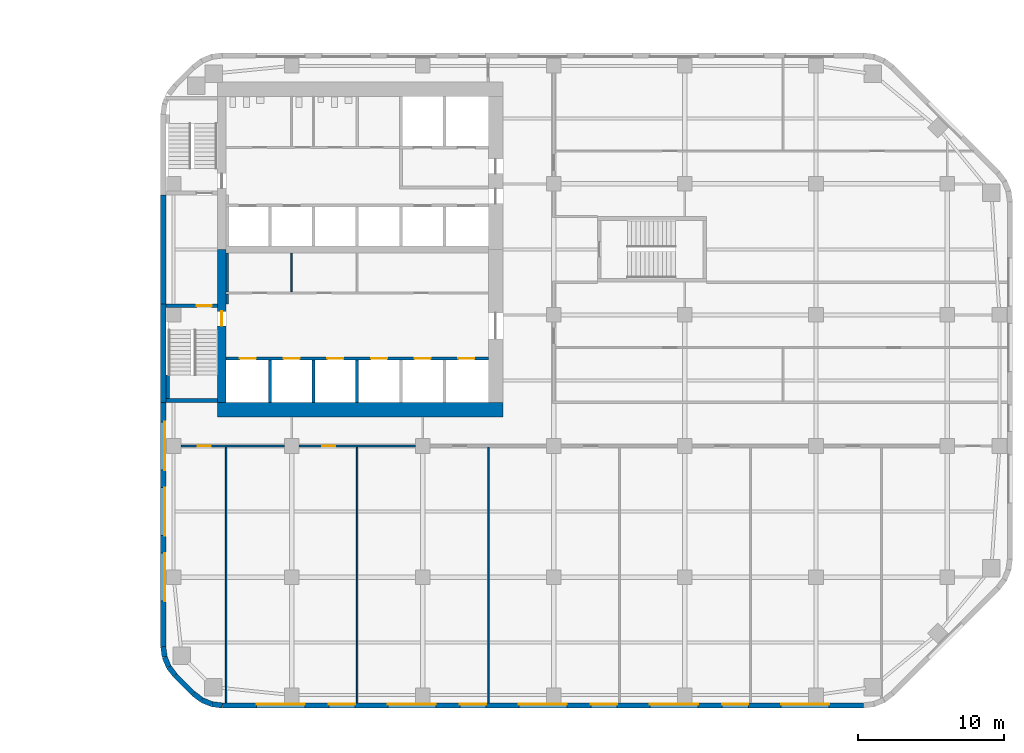
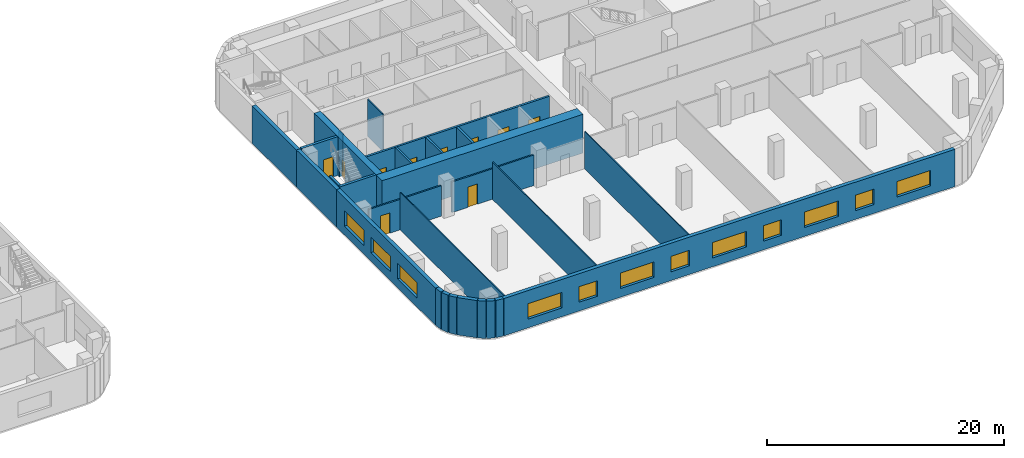
# One storey, part 8 of 15: 28 walls, 12 windows, 10 doors, 22 openings.
"""IFC4 building model written with IfcOpenShell, lengths in metres."""

import ifcopenshell
import ifcopenshell.guid

model = None  # the IFC model being written
_history = None  # IfcOwnerHistory: only IFC2X3 demands one
_inside = {}  # id of a spatial element -> (the spatial element, [elements in it])
_under = {}  # id of a project, library or spatial element -> (it, [spatial elements below it])
_declared = {}  # id of a project -> (the project, [libraries it declares])
_typed = {}  # id of a type object -> (the type object, [elements of that type])
_made_of = {}  # id of a material, layer set ... -> (it, [elements and type objects made of it])


def new_model(schema):
    """Start an empty IFC model of exactly this schema.

    Asked for "IFC4X3", IfcOpenShell would pick the latest addendum, in which some entities
    have other attributes; the version numbers below select the first issue.
    IFC2X3 requires an IfcOwnerHistory on every rooted entity: one is made here for all.
    """
    global model, _history
    if schema == "IFC4X3":
        model = ifcopenshell.file(schema_version=(4, 3, 0, 0))
    else:
        model = ifcopenshell.file(schema=schema)
    _inside.clear()
    _under.clear()
    _declared.clear()
    _typed.clear()
    _made_of.clear()
    _history = None
    if model.schema == "IFC2X3":
        org = make("IfcOrganization", Name="unknown")
        user = make(
            "IfcPersonAndOrganization",
            ThePerson=make("IfcPerson", FamilyName="unknown"),
            TheOrganization=org,
        )
        app = make(
            "IfcApplication",
            ApplicationDeveloper=org,
            Version="unknown",
            ApplicationFullName="unknown",
            ApplicationIdentifier="unknown",
        )
        _history = make(
            "IfcOwnerHistory",
            OwningUser=user,
            OwningApplication=app,
            ChangeAction="ADDED",
            CreationDate=0,
        )
    return model


def make(cls, **values):
    """One entity of the class cls with the attributes given. An attribute that is None is left unset."""
    return model.create_entity(
        cls, **{name: value for name, value in values.items() if value is not None}
    )


def rooted(cls, **values):
    """An entity with a GlobalId (a new one), such as an element, a storey or a relation."""
    return make(cls, GlobalId=ifcopenshell.guid.new(), OwnerHistory=_history, **values)


def si_unit(unit_type, name, prefix=None):
    """IfcSIUnit, for example si_unit("LENGTHUNIT", "METRE", prefix="MILLI")."""
    return make("IfcSIUnit", UnitType=unit_type, Prefix=prefix, Name=name)


def assignment(units):
    """IfcUnitAssignment: the units of a project."""
    return None if units is None else make("IfcUnitAssignment", Units=units)


def point(xyz):
    """IfcCartesianPoint."""
    return None if xyz is None else make("IfcCartesianPoint", Coordinates=xyz)


def direction(xyz):
    """IfcDirection."""
    return None if xyz is None else make("IfcDirection", DirectionRatios=xyz)


def frame(location, z_axis=None, x_axis=None):
    """IfcAxis2Placement3D, a coordinate frame: its origin and axes. An axis left out is left unset."""
    return make(
        "IfcAxis2Placement3D",
        Location=point(location),
        Axis=direction(z_axis),
        RefDirection=direction(x_axis),
    )


def frame_2d(location, x_axis=None):
    """IfcAxis2Placement2D, a coordinate frame in the plane: its origin and x axis."""
    return make(
        "IfcAxis2Placement2D", Location=point(location), RefDirection=direction(x_axis)
    )


def origin():
    """The frame at (0, 0, 0) with its axes left unset."""
    return frame((0.0, 0.0, 0.0))


def place(relative_to, where):
    """IfcLocalPlacement: puts the frame where relative to a parent placement (None: the world)."""
    return make(
        "IfcLocalPlacement", PlacementRelTo=relative_to, RelativePlacement=where
    )


def context(
    kind, dimensions, precision=None, world=None, true_north=None, identifier=None
):
    """IfcGeometricRepresentationContext, for example the 3D "Model" context."""
    return make(
        "IfcGeometricRepresentationContext",
        ContextIdentifier=identifier,
        ContextType=kind,
        CoordinateSpaceDimension=dimensions,
        Precision=precision,
        WorldCoordinateSystem=world,
        TrueNorth=true_north,
    )


def subcontext(parent, identifier, kind, view, scale=None):
    """IfcGeometricRepresentationSubContext, for example "Body" below "Model"."""
    return make(
        "IfcGeometricRepresentationSubContext",
        ContextIdentifier=identifier,
        ContextType=kind,
        ParentContext=parent,
        TargetScale=scale,
        TargetView=view,
    )


def project(units=None, contexts=None):
    """IfcProject with its units and contexts."""
    return rooted(
        "IfcProject",
        Name="project",
        RepresentationContexts=contexts,
        UnitsInContext=assignment(units),
    )


def spatial(cls, under=None, at=None, **own):
    """A site, building, storey or space (cls), placed at a placement, below another one or the project."""
    s = rooted(cls, ObjectPlacement=at, **own)
    if under is not None:
        _under.setdefault(under.id(), (under, []))[1].append(s)
    return s


def profile(cls, at=None, kind="AREA", **sizes):
    """A parametric profile (cls). Its sizes go by their IFC names, for example OverallWidth=200.0."""
    return make(cls, ProfileType=kind, Position=at, **sizes)


def rectangle(**sizes):
    """IfcRectangleProfileDef."""
    return profile("IfcRectangleProfileDef", **sizes)


def extrude(swept, where, along, depth):
    """IfcExtrudedAreaSolid: the profile swept, set in the frame where, extruded along a direction by depth."""
    return make(
        "IfcExtrudedAreaSolid",
        SweptArea=swept,
        Position=where,
        ExtrudedDirection=direction(along),
        Depth=depth,
    )


def shape(context_of_items, identifier, shape_type, items):
    """IfcShapeRepresentation: the items that make up one representation, for example the "Body"."""
    return make(
        "IfcShapeRepresentation",
        ContextOfItems=context_of_items,
        RepresentationIdentifier=identifier,
        RepresentationType=shape_type,
        Items=items,
    )


def material(Name=None, Category=None):
    """IfcMaterial."""
    return make("IfcMaterial", Name=Name, Category=Category)


def layer(
    of_material, thickness, ventilated=None, Name=None, Category=None, Priority=None
):
    """IfcMaterialLayer: one layer of a wall or slab, of a material (None: an air gap)."""
    return make(
        "IfcMaterialLayer",
        Material=of_material,
        LayerThickness=thickness,
        IsVentilated=ventilated,
        Name=Name,
        Category=Category,
        Priority=Priority,
    )


def layer_set(layers, Name=None):
    """IfcMaterialLayerSet."""
    return make("IfcMaterialLayerSet", MaterialLayers=layers, LayerSetName=Name)


def made_of(thing, what):
    """Note that an element or type object is made of a material, layer set ...; save() writes the relation."""
    if what is not None:
        _made_of.setdefault(what.id(), (what, []))[1].append(thing)
    return thing


def type_object(cls, material=None, **own):
    """A type object (cls), such as IfcWallType, which elements share."""
    return made_of(rooted(cls, **own), material)


def element(
    cls,
    number,
    at=None,
    inside=None,
    cuts=None,
    type_object=None,
    material=None,
    context=None,
    identifier="Body",
    shape_type=None,
    held_by="IfcProductDefinitionShape",
    body=None,
    shapes=None,
    **own,
):
    """One element of the class cls, such as IfcWall. Its Tag is "e" and its number.

    at: its placement. inside: the storey or other place that contains it. cuts: it is an
    opening in that element (IfcRelVoidsElement). A single representation is given by context,
    identifier, shape_type and body (its items); several are given by shapes. held_by: the class
    of the entity that holds the representations. save() writes the other relations.
    """
    e = rooted(cls, Tag="e%d" % number, ObjectPlacement=at, **own)
    if body is not None:
        shapes = [shape(context, identifier, shape_type, body)]
    if shapes is not None:
        e.Representation = make(held_by, Representations=shapes)
    if inside is not None:
        _inside.setdefault(inside.id(), (inside, []))[1].append(e)
    if cuts is not None:
        rooted(
            "IfcRelVoidsElement", RelatingBuildingElement=cuts, RelatedOpeningElement=e
        )
    if type_object is not None:
        _typed.setdefault(type_object.id(), (type_object, []))[1].append(e)
    return made_of(e, material)


def fill(opening, filler):
    """IfcRelFillsElement: the door or window that sits in an opening."""
    return rooted(
        "IfcRelFillsElement",
        RelatingOpeningElement=opening,
        RelatedBuildingElement=filler,
    )


def aggregate(whole, parts):
    """IfcRelAggregates: a whole, such as a stair, and the parts it consists of."""
    return rooted("IfcRelAggregates", RelatingObject=whole, RelatedObjects=parts)


def save(model, path):
    """Write the relations noted so far, then the file.

    IfcRelAggregates (storeys below a building ...), IfcRelContainedInSpatialStructure (elements
    in a storey), IfcRelDefinesByType, IfcRelAssociatesMaterial and IfcRelDeclares: one each for
    every whole, place, type object, material and project.
    """
    for whole, parts in _under.values():
        aggregate(whole, parts)
    for where, things in _inside.values():
        rooted(
            "IfcRelContainedInSpatialStructure",
            RelatedElements=things,
            RelatingStructure=where,
        )
    for kind, things in _typed.values():
        rooted("IfcRelDefinesByType", RelatedObjects=things, RelatingType=kind)
    for what, things in _made_of.values():
        rooted("IfcRelAssociatesMaterial", RelatedObjects=things, RelatingMaterial=what)
    for by, libraries in _declared.values():
        rooted("IfcRelDeclares", RelatingContext=by, RelatedDefinitions=libraries)
    model.write(path)


model = new_model("IFC4")

# Units and contexts
model_context = context("Model", 3, precision=1e-05, world=origin(), true_north=direction((0.0, 1.0)))
body_context = subcontext(model_context, "Body", "Model", "MODEL_VIEW")
ifc_project = project(units=[si_unit("LENGTHUNIT", "METRE"), si_unit("AREAUNIT", "SQUARE_METRE"), si_unit("VOLUMEUNIT", "CUBIC_METRE"), si_unit("PLANEANGLEUNIT", "RADIAN"), si_unit("MASSUNIT", "GRAM", prefix="KILO")], contexts=[model_context])

# Site, building, storey
site_placement = place(None, origin())
site = spatial("IfcSite", under=ifc_project, at=site_placement, CompositionType="ELEMENT")
building_placement = place(site_placement, origin())
building = spatial("IfcBuilding", under=site, at=building_placement, Name="Cinnabar Reach Civic Tower", CompositionType="ELEMENT")
storey_placement = place(building_placement, frame((0.0, 0.0, 87.0)))
storey = spatial("IfcBuildingStorey", under=building, at=storey_placement, Name="L20", CompositionType="ELEMENT", Elevation=87.0)

# Walls
ifc_material_1 = material(Name="Facing brick with insulated backing", Category="masonry")
ifc_layer_1 = layer(ifc_material_1, 0.36)
ifc_layer_set_1 = layer_set([ifc_layer_1], Name="Brick corner wall")
wall_type_1 = type_object("IfcWallType", Name="Brick corner wall", PredefinedType="STANDARD", material=ifc_layer_set_1)
for number, where, z_axis, x_axis, name in (
    (1, (0.183, 4.2314, 0.0), (0.0, 0.0, 1.0), (0.13055608231, -0.99144092581, 0.0), "Brick corner wall"),
    (2, (0.2819, 3.5027, 0.0), (0.0, 0.0, 1.0), (0.382702709855, -0.923871547278, 0.0), "Brick corner wall"),
):
    element("IfcWall", number, at=place(storey_placement, frame(where, z_axis=z_axis, x_axis=x_axis)), inside=storey, type_object=wall_type_1, Name=name, PredefinedType="STANDARD", context=body_context, shape_type="SweptSolid", body=[
        extrude(rectangle(XDim=0.7131, YDim=0.36, at=frame_2d((0.3565, 0.0))), origin(), (0.0, 0.0, 1.0), 3.85),
    ])
for number, where, z_axis, x_axis, name in (
    (3, (0.566, 2.8245, 0.0), (0.0, 0.0, 1.0), (0.608802368033, -0.793321924995, 0.0), "Brick corner wall"),
    (4, (2.2587, 1.0002, 0.0), (0.0, 0.0, 1.0), (0.793321924995, -0.608802368033, 0.0), "Brick corner wall"),
):
    element("IfcWall", number, at=place(storey_placement, frame(where, z_axis=z_axis, x_axis=x_axis)), inside=storey, type_object=wall_type_1, Name=name, PredefinedType="STANDARD", context=body_context, shape_type="SweptSolid", body=[
        extrude(rectangle(XDim=0.7132, YDim=0.36, at=frame_2d((0.3566, 0.0))), origin(), (0.0, 0.0, 1.0), 3.85),
    ])
for number, where, z_axis, x_axis, name in (
    (5, (2.8439, 0.5548, 0.0), (0.0, 0.0, 1.0), (0.923871547278, -0.382702709855, 0.0), "Brick corner wall"),
    (6, (3.5244, 0.2761, 0.0), (0.0, 0.0, 1.0), (0.99144092581, -0.13055608231, 0.0), "Brick corner wall"),
):
    element("IfcWall", number, at=place(storey_placement, frame(where, z_axis=z_axis, x_axis=x_axis)), inside=storey, type_object=wall_type_1, Name=name, PredefinedType="STANDARD", context=body_context, shape_type="SweptSolid", body=[
        extrude(rectangle(XDim=0.7131, YDim=0.36, at=frame_2d((0.3565, 0.0))), origin(), (0.0, 0.0, 1.0), 3.85),
    ])

# Wall, openings, windows
ifc_layer_2 = layer(ifc_material_1, 0.36)
ifc_layer_set_2 = layer_set([ifc_layer_2], Name="Brick pier and spandrel wall")
wall_type_2 = type_object("IfcWallType", Name="Brick pier and spandrel wall", PredefinedType="STANDARD", material=ifc_layer_set_2)
wall_1_placement = place(storey_placement, frame((4.2426, 0.18, 0.0), z_axis=(0.0, 0.0, 1.0), x_axis=(1.0, 0.0, 0.0)))
wall_1 = element("IfcWall", 7, at=wall_1_placement, inside=storey, type_object=wall_type_2, Name="Brick facade wall", PredefinedType="STANDARD", context=body_context, shape_type="SweptSolid", body=[
    extrude(rectangle(XDim=44.0148, YDim=0.36, at=frame_2d((22.0074, 0.0))), origin(), (0.0, 0.0, 1.0), 3.85),
])
opening_1_placement = place(wall_1_placement, frame((2.3574, 0.0, 0.9)))
opening_1 = element("IfcOpeningElement", 8, at=opening_1_placement, cuts=wall_1, Name="Opening W1402", PredefinedType="OPENING", context=body_context, shape_type="SweptSolid", body=[
    extrude(rectangle(XDim=3.3, YDim=1.6, at=frame_2d((1.65, 0.8))), frame((0.0, 0.19, 0.0), z_axis=(0.0, -1.0, 0.0), x_axis=(1.0, 0.0, 0.0)), (0.0, 0.0, 1.0), 0.38),
])
opening_2_placement = place(wall_1_placement, frame((7.3074, 0.0, 0.9)))
opening_2 = element("IfcOpeningElement", 9, at=opening_2_placement, cuts=wall_1, Name="Opening W1403", PredefinedType="OPENING", context=body_context, shape_type="SweptSolid", body=[
    extrude(rectangle(XDim=1.8, YDim=1.6, at=frame_2d((0.9, 0.8))), frame((0.0, 0.19, 0.0), z_axis=(0.0, -1.0, 0.0), x_axis=(1.0, 0.0, 0.0)), (0.0, 0.0, 1.0), 0.38),
])
opening_3_placement = place(wall_1_placement, frame((11.3574, 0.0, 0.9)))
opening_3 = element("IfcOpeningElement", 10, at=opening_3_placement, cuts=wall_1, Name="Opening W1404", PredefinedType="OPENING", context=body_context, shape_type="SweptSolid", body=[
    extrude(rectangle(XDim=3.3, YDim=1.6, at=frame_2d((1.65, 0.8))), frame((0.0, 0.19, 0.0), z_axis=(0.0, -1.0, 0.0), x_axis=(1.0, 0.0, 0.0)), (0.0, 0.0, 1.0), 0.38),
])
opening_4_placement = place(wall_1_placement, frame((16.3074, 0.0, 0.9)))
opening_4 = element("IfcOpeningElement", 11, at=opening_4_placement, cuts=wall_1, Name="Opening W1405", PredefinedType="OPENING", context=body_context, shape_type="SweptSolid", body=[
    extrude(rectangle(XDim=1.8, YDim=1.6, at=frame_2d((0.9, 0.8))), frame((0.0, 0.19, 0.0), z_axis=(0.0, -1.0, 0.0), x_axis=(1.0, 0.0, 0.0)), (0.0, 0.0, 1.0), 0.38),
])
opening_5_placement = place(wall_1_placement, frame((20.3574, 0.0, 0.9)))
opening_5 = element("IfcOpeningElement", 12, at=opening_5_placement, cuts=wall_1, Name="Opening W1406", PredefinedType="OPENING", context=body_context, shape_type="SweptSolid", body=[
    extrude(rectangle(XDim=3.3, YDim=1.6, at=frame_2d((1.65, 0.8))), frame((0.0, 0.19, 0.0), z_axis=(0.0, -1.0, 0.0), x_axis=(1.0, 0.0, 0.0)), (0.0, 0.0, 1.0), 0.38),
])
opening_6_placement = place(wall_1_placement, frame((25.3074, 0.0, 0.9)))
opening_6 = element("IfcOpeningElement", 13, at=opening_6_placement, cuts=wall_1, Name="Opening W1407", PredefinedType="OPENING", context=body_context, shape_type="SweptSolid", body=[
    extrude(rectangle(XDim=1.8, YDim=1.6, at=frame_2d((0.9, 0.8))), frame((0.0, 0.19, 0.0), z_axis=(0.0, -1.0, 0.0), x_axis=(1.0, 0.0, 0.0)), (0.0, 0.0, 1.0), 0.38),
])
opening_7_placement = place(wall_1_placement, frame((29.3574, 0.0, 0.9)))
opening_7 = element("IfcOpeningElement", 14, at=opening_7_placement, cuts=wall_1, Name="Opening W1408", PredefinedType="OPENING", context=body_context, shape_type="SweptSolid", body=[
    extrude(rectangle(XDim=3.3, YDim=1.6, at=frame_2d((1.65, 0.8))), frame((0.0, 0.19, 0.0), z_axis=(0.0, -1.0, 0.0), x_axis=(1.0, 0.0, 0.0)), (0.0, 0.0, 1.0), 0.38),
])
opening_8_placement = place(wall_1_placement, frame((34.3074, 0.0, 0.9)))
opening_8 = element("IfcOpeningElement", 15, at=opening_8_placement, cuts=wall_1, Name="Opening W1409", PredefinedType="OPENING", context=body_context, shape_type="SweptSolid", body=[
    extrude(rectangle(XDim=1.8, YDim=1.6, at=frame_2d((0.9, 0.8))), frame((0.0, 0.19, 0.0), z_axis=(0.0, -1.0, 0.0), x_axis=(1.0, 0.0, 0.0)), (0.0, 0.0, 1.0), 0.38),
])
opening_9_placement = place(wall_1_placement, frame((38.3574, 0.0, 0.9)))
opening_9 = element("IfcOpeningElement", 16, at=opening_9_placement, cuts=wall_1, Name="Opening W1410", PredefinedType="OPENING", context=body_context, shape_type="SweptSolid", body=[
    extrude(rectangle(XDim=3.3, YDim=1.6, at=frame_2d((1.65, 0.8))), frame((0.0, 0.19, 0.0), z_axis=(0.0, -1.0, 0.0), x_axis=(1.0, 0.0, 0.0)), (0.0, 0.0, 1.0), 0.38),
])
ifc_material_2 = material(Name="Clear double glazing in aluminium frame", Category="aluminium")
window_type_1 = type_object("IfcWindowType", Name="Deep-set window A", PartitioningType="SINGLE_PANEL", PredefinedType="WINDOW", material=ifc_material_2)
window_1_placement = place(opening_1_placement, origin())
window_1 = element("IfcWindow", 17, at=window_1_placement, inside=storey, type_object=window_type_1, Name="Window south face", OverallHeight=1.6, OverallWidth=3.3, PartitioningType="SINGLE_PANEL", PredefinedType="WINDOW", context=body_context, shape_type="SweptSolid", body=[
    extrude(rectangle(XDim=3.3, YDim=1.6, at=frame_2d((1.65, 0.8))), frame((0.0, 0.13, 0.0), z_axis=(0.0, -1.0, 0.0), x_axis=(1.0, 0.0, 0.0)), (0.0, 0.0, 1.0), 0.06),
])
fill(opening_1, window_1)
window_2_placement = place(opening_3_placement, origin())
window_2 = element("IfcWindow", 18, at=window_2_placement, inside=storey, type_object=window_type_1, Name="Window south face", OverallHeight=1.6, OverallWidth=3.3, PartitioningType="SINGLE_PANEL", PredefinedType="WINDOW", context=body_context, shape_type="SweptSolid", body=[
    extrude(rectangle(XDim=3.3, YDim=1.6, at=frame_2d((1.65, 0.8))), frame((0.0, 0.13, 0.0), z_axis=(0.0, -1.0, 0.0), x_axis=(1.0, 0.0, 0.0)), (0.0, 0.0, 1.0), 0.06),
])
fill(opening_3, window_2)
window_3_placement = place(opening_5_placement, origin())
window_3 = element("IfcWindow", 19, at=window_3_placement, inside=storey, type_object=window_type_1, Name="Window south face", OverallHeight=1.6, OverallWidth=3.3, PartitioningType="SINGLE_PANEL", PredefinedType="WINDOW", context=body_context, shape_type="SweptSolid", body=[
    extrude(rectangle(XDim=3.3, YDim=1.6, at=frame_2d((1.65, 0.8))), frame((0.0, 0.13, 0.0), z_axis=(0.0, -1.0, 0.0), x_axis=(1.0, 0.0, 0.0)), (0.0, 0.0, 1.0), 0.06),
])
fill(opening_5, window_3)
window_4_placement = place(opening_7_placement, origin())
window_4 = element("IfcWindow", 20, at=window_4_placement, inside=storey, type_object=window_type_1, Name="Window south face", OverallHeight=1.6, OverallWidth=3.3, PartitioningType="SINGLE_PANEL", PredefinedType="WINDOW", context=body_context, shape_type="SweptSolid", body=[
    extrude(rectangle(XDim=3.3, YDim=1.6, at=frame_2d((1.65, 0.8))), frame((0.0, 0.13, 0.0), z_axis=(0.0, -1.0, 0.0), x_axis=(1.0, 0.0, 0.0)), (0.0, 0.0, 1.0), 0.06),
])
fill(opening_7, window_4)
window_5_placement = place(opening_9_placement, origin())
window_5 = element("IfcWindow", 21, at=window_5_placement, inside=storey, type_object=window_type_1, Name="Window south face", OverallHeight=1.6, OverallWidth=3.3, PartitioningType="SINGLE_PANEL", PredefinedType="WINDOW", context=body_context, shape_type="SweptSolid", body=[
    extrude(rectangle(XDim=3.3, YDim=1.6, at=frame_2d((1.65, 0.8))), frame((0.0, 0.13, 0.0), z_axis=(0.0, -1.0, 0.0), x_axis=(1.0, 0.0, 0.0)), (0.0, 0.0, 1.0), 0.06),
])
fill(opening_9, window_5)
window_type_2 = type_object("IfcWindowType", Name="Deep-set window D", PartitioningType="SINGLE_PANEL", PredefinedType="WINDOW", material=ifc_material_2)
window_6_placement = place(opening_2_placement, origin())
window_6 = element("IfcWindow", 22, at=window_6_placement, inside=storey, type_object=window_type_2, Name="Window south face", OverallHeight=1.6, OverallWidth=1.8, PartitioningType="SINGLE_PANEL", PredefinedType="WINDOW", context=body_context, shape_type="SweptSolid", body=[
    extrude(rectangle(XDim=1.8, YDim=1.6, at=frame_2d((0.9, 0.8))), frame((0.0, 0.13, 0.0), z_axis=(0.0, -1.0, 0.0), x_axis=(1.0, 0.0, 0.0)), (0.0, 0.0, 1.0), 0.06),
])
fill(opening_2, window_6)
window_7_placement = place(opening_4_placement, origin())
window_7 = element("IfcWindow", 23, at=window_7_placement, inside=storey, type_object=window_type_2, Name="Window south face", OverallHeight=1.6, OverallWidth=1.8, PartitioningType="SINGLE_PANEL", PredefinedType="WINDOW", context=body_context, shape_type="SweptSolid", body=[
    extrude(rectangle(XDim=1.8, YDim=1.6, at=frame_2d((0.9, 0.8))), frame((0.0, 0.13, 0.0), z_axis=(0.0, -1.0, 0.0), x_axis=(1.0, 0.0, 0.0)), (0.0, 0.0, 1.0), 0.06),
])
fill(opening_4, window_7)
window_8_placement = place(opening_6_placement, origin())
window_8 = element("IfcWindow", 24, at=window_8_placement, inside=storey, type_object=window_type_2, Name="Window south face", OverallHeight=1.6, OverallWidth=1.8, PartitioningType="SINGLE_PANEL", PredefinedType="WINDOW", context=body_context, shape_type="SweptSolid", body=[
    extrude(rectangle(XDim=1.8, YDim=1.6, at=frame_2d((0.9, 0.8))), frame((0.0, 0.13, 0.0), z_axis=(0.0, -1.0, 0.0), x_axis=(1.0, 0.0, 0.0)), (0.0, 0.0, 1.0), 0.06),
])
fill(opening_6, window_8)
window_9_placement = place(opening_8_placement, origin())
window_9 = element("IfcWindow", 25, at=window_9_placement, inside=storey, type_object=window_type_2, Name="Window south face", OverallHeight=1.6, OverallWidth=1.8, PartitioningType="SINGLE_PANEL", PredefinedType="WINDOW", context=body_context, shape_type="SweptSolid", body=[
    extrude(rectangle(XDim=1.8, YDim=1.6, at=frame_2d((0.9, 0.8))), frame((0.0, 0.13, 0.0), z_axis=(0.0, -1.0, 0.0), x_axis=(1.0, 0.0, 0.0)), (0.0, 0.0, 1.0), 0.06),
])
fill(opening_8, window_9)

# Walls
wall_2_placement = place(storey_placement, frame((0.18, 35.25, 0.0), z_axis=(0.0, 0.0, 1.0), x_axis=(0.0, -1.0, 0.0)))
element("IfcWall", 26, at=wall_2_placement, inside=storey, type_object=wall_type_2, Name="Brick facade wall", PredefinedType="STANDARD", context=body_context, shape_type="SweptSolid", body=[
    extrude(rectangle(XDim=7.5, YDim=0.36, at=frame_2d((3.75, 0.0))), origin(), (0.0, 0.0, 1.0), 3.85),
])
wall_3_placement = place(storey_placement, frame((0.18, 27.75, 0.0), z_axis=(0.0, 0.0, 1.0), x_axis=(0.0, -1.0, 0.0)))
element("IfcWall", 27, at=wall_3_placement, inside=storey, type_object=wall_type_2, Name="Brick facade wall", PredefinedType="STANDARD", context=body_context, shape_type="SweptSolid", body=[
    extrude(rectangle(XDim=6.75, YDim=0.36, at=frame_2d((3.375, 0.0))), origin(), (0.0, 0.0, 1.0), 3.85),
])

# Wall, openings, windows
wall_4_placement = place(storey_placement, frame((0.18, 21.0, 0.0), z_axis=(0.0, 0.0, 1.0), x_axis=(0.0, -1.0, 0.0)))
wall_4 = element("IfcWall", 28, at=wall_4_placement, inside=storey, type_object=wall_type_2, Name="Brick facade wall", PredefinedType="STANDARD", context=body_context, shape_type="SweptSolid", body=[
    extrude(rectangle(XDim=16.7574, YDim=0.36, at=frame_2d((8.3787, 0.0))), origin(), (0.0, 0.0, 1.0), 3.85),
])
opening_10_placement = place(wall_4_placement, frame((1.35, 0.0, 0.9)))
opening_10 = element("IfcOpeningElement", 29, at=opening_10_placement, cuts=wall_4, Name="Opening W1426", PredefinedType="OPENING", context=body_context, shape_type="SweptSolid", body=[
    extrude(rectangle(XDim=3.3, YDim=1.6, at=frame_2d((1.65, 0.8))), frame((0.0, 0.19, 0.0), z_axis=(0.0, -1.0, 0.0), x_axis=(1.0, 0.0, 0.0)), (0.0, 0.0, 1.0), 0.38),
])
opening_11_placement = place(wall_4_placement, frame((5.85, 0.0, 0.9)))
opening_11 = element("IfcOpeningElement", 30, at=opening_11_placement, cuts=wall_4, Name="Opening W1427", PredefinedType="OPENING", context=body_context, shape_type="SweptSolid", body=[
    extrude(rectangle(XDim=3.3, YDim=1.6, at=frame_2d((1.65, 0.8))), frame((0.0, 0.19, 0.0), z_axis=(0.0, -1.0, 0.0), x_axis=(1.0, 0.0, 0.0)), (0.0, 0.0, 1.0), 0.38),
])
opening_12_placement = place(wall_4_placement, frame((10.35, 0.0, 0.9)))
opening_12 = element("IfcOpeningElement", 31, at=opening_12_placement, cuts=wall_4, Name="Opening W1428", PredefinedType="OPENING", context=body_context, shape_type="SweptSolid", body=[
    extrude(rectangle(XDim=3.3, YDim=1.6, at=frame_2d((1.65, 0.8))), frame((0.0, 0.19, 0.0), z_axis=(0.0, -1.0, 0.0), x_axis=(1.0, 0.0, 0.0)), (0.0, 0.0, 1.0), 0.38),
])
window_10_placement = place(opening_10_placement, origin())
window_10 = element("IfcWindow", 32, at=window_10_placement, inside=storey, type_object=window_type_1, Name="Window west face", OverallHeight=1.6, OverallWidth=3.3, PartitioningType="SINGLE_PANEL", PredefinedType="WINDOW", context=body_context, shape_type="SweptSolid", body=[
    extrude(rectangle(XDim=3.3, YDim=1.6, at=frame_2d((1.65, 0.8))), frame((0.0, 0.13, 0.0), z_axis=(0.0, -1.0, 0.0), x_axis=(1.0, 0.0, 0.0)), (0.0, 0.0, 1.0), 0.06),
])
fill(opening_10, window_10)
window_11_placement = place(opening_11_placement, origin())
window_11 = element("IfcWindow", 33, at=window_11_placement, inside=storey, type_object=window_type_1, Name="Window west face", OverallHeight=1.6, OverallWidth=3.3, PartitioningType="SINGLE_PANEL", PredefinedType="WINDOW", context=body_context, shape_type="SweptSolid", body=[
    extrude(rectangle(XDim=3.3, YDim=1.6, at=frame_2d((1.65, 0.8))), frame((0.0, 0.13, 0.0), z_axis=(0.0, -1.0, 0.0), x_axis=(1.0, 0.0, 0.0)), (0.0, 0.0, 1.0), 0.06),
])
fill(opening_11, window_11)
window_12_placement = place(opening_12_placement, origin())
window_12 = element("IfcWindow", 34, at=window_12_placement, inside=storey, type_object=window_type_1, Name="Window west face", OverallHeight=1.6, OverallWidth=3.3, PartitioningType="SINGLE_PANEL", PredefinedType="WINDOW", context=body_context, shape_type="SweptSolid", body=[
    extrude(rectangle(XDim=3.3, YDim=1.6, at=frame_2d((1.65, 0.8))), frame((0.0, 0.13, 0.0), z_axis=(0.0, -1.0, 0.0), x_axis=(1.0, 0.0, 0.0)), (0.0, 0.0, 1.0), 0.06),
])
fill(opening_12, window_12)

# Walls
wall_5_placement = place(storey_placement, frame((1.006, 2.2486, 0.0), z_axis=(0.0, 0.0, 1.0), x_axis=(0.707106781187, -0.707106781187, 0.0)))
element("IfcWall", 35, at=wall_5_placement, inside=storey, type_object=wall_type_2, Name="Brick facade wall", PredefinedType="STANDARD", context=body_context, shape_type="SweptSolid", body=[
    extrude(rectangle(XDim=1.7573, YDim=0.36, at=frame_2d((0.8787, 0.0))), origin(), (0.0, 0.0, 1.0), 3.85),
])
ifc_material_3 = material(Name="Concrete C70", Category="concrete")
ifc_layer_3 = layer(ifc_material_3, 1.0)
ifc_layer_set_3 = layer_set([ifc_layer_3], Name="Core wall 1000 EI 180")
wall_type_3 = type_object("IfcWallType", Name="Core wall 1000 EI 180", PredefinedType="SOLIDWALL", material=ifc_layer_set_3)
wall_6_placement = place(storey_placement, frame((3.9, 20.5, 0.0), z_axis=(0.0, 0.0, 1.0), x_axis=(1.0, 0.0, 0.0)))
element("IfcWall", 36, at=wall_6_placement, inside=storey, type_object=wall_type_3, Name="Core wall T1 L20 S", PredefinedType="SOLIDWALL", context=body_context, shape_type="SweptSolid", body=[
    extrude(rectangle(XDim=19.6, YDim=1.0, at=frame_2d((9.8, 0.0))), origin(), (0.0, 0.0, 1.0), 4.0),
])

# Wall, opening, door
ifc_layer_4 = layer(ifc_material_3, 0.6)
ifc_layer_set_4 = layer_set([ifc_layer_4], Name="Core wall 600 EI 180")
wall_type_4 = type_object("IfcWallType", Name="Core wall 600 EI 180", PredefinedType="SOLIDWALL", material=ifc_layer_set_4)
wall_7_placement = place(storey_placement, frame((4.2, 31.5, 0.0), z_axis=(0.0, 0.0, 1.0), x_axis=(0.0, -1.0, 0.0)))
wall_7 = element("IfcWall", 37, at=wall_7_placement, inside=storey, type_object=wall_type_4, Name="Core wall T1 L20 W2", PredefinedType="SOLIDWALL", context=body_context, shape_type="SweptSolid", body=[
    extrude(rectangle(XDim=10.5, YDim=0.6, at=frame_2d((5.25, 0.0))), origin(), (0.0, 0.0, 1.0), 4.0),
])
opening_13_placement = place(wall_7_placement, frame((4.25, 0.0, 0.0)))
opening_13 = element("IfcOpeningElement", 38, at=opening_13_placement, cuts=wall_7, Name="Opening D3801", PredefinedType="OPENING", context=body_context, shape_type="SweptSolid", body=[
    extrude(rectangle(XDim=1.0, YDim=2.1, at=frame_2d((0.5, 1.05))), frame((0.0, 0.31, 0.0), z_axis=(0.0, -1.0, 0.0), x_axis=(1.0, 0.0, 0.0)), (0.0, 0.0, 1.0), 0.62),
])
ifc_material_4 = material(Name="Timber door leaf in steel frame", Category="steel")
door_type_1 = type_object("IfcDoorType", Name="Stair door 1000 x 2100 T1", OperationType="SINGLE_SWING_LEFT", PredefinedType="DOOR", material=ifc_material_4)
door_1_placement = place(opening_13_placement, frame((1.0, 0.0, 0.0), z_axis=(0.0, 0.0, 1.0), x_axis=(-1.0, 0.0, 0.0)))
door_1 = element("IfcDoor", 39, at=door_1_placement, inside=storey, type_object=door_type_1, Name="Door D3801", OperationType="SINGLE_SWING_RIGHT", OverallHeight=2.1, OverallWidth=1.0, PredefinedType="DOOR", context=body_context, shape_type="SweptSolid", body=[
    extrude(rectangle(XDim=1.0, YDim=2.1, at=frame_2d((0.5, 1.05))), frame((0.0, 0.025, 0.0), z_axis=(0.0, -1.0, 0.0), x_axis=(1.0, 0.0, 0.0)), (0.0, 0.0, 1.0), 0.05),
])
fill(opening_13, door_1)

ifc_material_5 = material(Name="Gypsum board on steel studs, double layer", Category="steel")
ifc_layer_5 = layer(ifc_material_5, 0.15)
ifc_layer_set_5 = layer_set([ifc_layer_5], Name="Corridor wall 150 T1")
wall_type_5 = type_object("IfcWallType", Name="Corridor wall 150 T1", PredefinedType="PARTITIONING", material=ifc_layer_set_5)
wall_8_placement = place(storey_placement, frame((9.5, 18.0, 0.0), z_axis=(0.0, 0.0, 1.0), x_axis=(1.0, 0.0, 0.0)))
wall_8 = element("IfcWall", 40, at=wall_8_placement, inside=storey, type_object=wall_type_5, Name="Corridor wall 24", PredefinedType="PARTITIONING", context=body_context, shape_type="SweptSolid", body=[
    extrude(rectangle(XDim=8.0, YDim=0.15, at=frame_2d((4.0, 0.0))), origin(), (0.0, 0.0, 1.0), 3.15),
])
opening_14_placement = place(wall_8_placement, frame((1.6, 0.0, 0.0)))
opening_14 = element("IfcOpeningElement", 41, at=opening_14_placement, cuts=wall_8, Name="Opening D3835", PredefinedType="OPENING", context=body_context, shape_type="SweptSolid", body=[
    extrude(rectangle(XDim=0.9, YDim=2.1, at=frame_2d((0.45, 1.05))), frame((0.0, 0.085, 0.0), z_axis=(0.0, -1.0, 0.0), x_axis=(1.0, 0.0, 0.0)), (0.0, 0.0, 1.0), 0.17),
])
door_type_2 = type_object("IfcDoorType", Name="Single swing door 900 x 2100 corridor T1", OperationType="SINGLE_SWING_LEFT", PredefinedType="DOOR", material=ifc_material_4)
door_2_placement = place(opening_14_placement, frame((0.9, 0.0, 0.0), z_axis=(0.0, 0.0, 1.0), x_axis=(-1.0, 0.0, 0.0)))
door_2 = element("IfcDoor", 42, at=door_2_placement, inside=storey, type_object=door_type_2, Name="Door D3835", OperationType="SINGLE_SWING_LEFT", OverallHeight=2.1, OverallWidth=0.9, PredefinedType="DOOR", context=body_context, shape_type="SweptSolid", body=[
    extrude(rectangle(XDim=0.9, YDim=2.1, at=frame_2d((0.45, 1.05))), frame((0.0, 0.025, 0.0), z_axis=(0.0, -1.0, 0.0), x_axis=(1.0, 0.0, 0.0)), (0.0, 0.0, 1.0), 0.05),
])
fill(opening_14, door_2)

wall_9_placement = place(storey_placement, frame((1.4, 18.0, 0.0), z_axis=(0.0, 0.0, 1.0), x_axis=(1.0, 0.0, 0.0)))
wall_9 = element("IfcWall", 43, at=wall_9_placement, inside=storey, type_object=wall_type_5, Name="Corridor wall 25", PredefinedType="PARTITIONING", context=body_context, shape_type="SweptSolid", body=[
    extrude(rectangle(XDim=7.1, YDim=0.15, at=frame_2d((3.55, 0.0))), origin(), (0.0, 0.0, 1.0), 3.15),
])
opening_15_placement = place(wall_9_placement, frame((1.15, 0.0, 0.0)))
opening_15 = element("IfcOpeningElement", 44, at=opening_15_placement, cuts=wall_9, Name="Opening D3834", PredefinedType="OPENING", context=body_context, shape_type="SweptSolid", body=[
    extrude(rectangle(XDim=0.9, YDim=2.1, at=frame_2d((0.45, 1.05))), frame((0.0, 0.085, 0.0), z_axis=(0.0, -1.0, 0.0), x_axis=(1.0, 0.0, 0.0)), (0.0, 0.0, 1.0), 0.17),
])
door_3_placement = place(opening_15_placement, frame((0.9, 0.0, 0.0), z_axis=(0.0, 0.0, 1.0), x_axis=(-1.0, 0.0, 0.0)))
door_3 = element("IfcDoor", 45, at=door_3_placement, inside=storey, type_object=door_type_2, Name="Door D3834", OperationType="SINGLE_SWING_RIGHT", OverallHeight=2.1, OverallWidth=0.9, PredefinedType="DOOR", context=body_context, shape_type="SweptSolid", body=[
    extrude(rectangle(XDim=0.9, YDim=2.1, at=frame_2d((0.45, 1.05))), frame((0.0, 0.025, 0.0), z_axis=(0.0, -1.0, 0.0), x_axis=(1.0, 0.0, 0.0)), (0.0, 0.0, 1.0), 0.05),
])
fill(opening_15, door_3)

# Walls
wall_10_placement = place(storey_placement, frame((4.575, 27.75, 0.0), z_axis=(0.0, 0.0, 1.0), x_axis=(0.0, 1.0, 0.0)))
element("IfcWall", 46, at=wall_10_placement, inside=storey, type_object=wall_type_5, Name="Corridor wall 33", PredefinedType="PARTITIONING", context=body_context, shape_type="SweptSolid", body=[
    extrude(rectangle(XDim=0.675, YDim=0.15, at=frame_2d((0.3375, 0.0))), origin(), (0.0, 0.0, 1.0), 3.85),
])
wall_11_placement = place(storey_placement, frame((4.575, 28.575, 0.0), z_axis=(0.0, 0.0, 1.0), x_axis=(0.0, 1.0, 0.0)))
element("IfcWall", 47, at=wall_11_placement, inside=storey, type_object=wall_type_5, Name="Corridor wall 34", PredefinedType="PARTITIONING", context=body_context, shape_type="SweptSolid", body=[
    extrude(rectangle(XDim=2.675, YDim=0.15, at=frame_2d((1.3375, 0.0))), origin(), (0.0, 0.0, 1.0), 3.85),
])

# Wall, openings, doors
ifc_material_6 = material(Name="Blockwork", Category="masonry")
ifc_layer_6 = layer(ifc_material_6, 0.2)
ifc_layer_set_6 = layer_set([ifc_layer_6], Name="Lift shaft wall 200 T1")
wall_type_6 = type_object("IfcWallType", Name="Lift shaft wall 200 T1", PredefinedType="PARTITIONING", material=ifc_layer_set_6)
wall_12_placement = place(storey_placement, frame((4.5, 24.0, 0.0), z_axis=(0.0, 0.0, 1.0), x_axis=(1.0, 0.0, 0.0)))
wall_12 = element("IfcWall", 48, at=wall_12_placement, inside=storey, type_object=wall_type_6, Name="Lift shaft wall 4", PredefinedType="PARTITIONING", context=body_context, shape_type="SweptSolid", body=[
    extrude(rectangle(XDim=18.0, YDim=0.2, at=frame_2d((9.0, 0.0))), origin(), (0.0, 0.0, 1.0), 3.85),
])
opening_16_placement = place(wall_12_placement, frame((0.95, 0.0, 0.0)))
opening_16 = element("IfcOpeningElement", 49, at=opening_16_placement, cuts=wall_12, Name="Opening D3805", PredefinedType="OPENING", context=body_context, shape_type="SweptSolid", body=[
    extrude(rectangle(XDim=1.1, YDim=2.1, at=frame_2d((0.55, 1.05))), frame((0.0, 0.11, 0.0), z_axis=(0.0, -1.0, 0.0), x_axis=(1.0, 0.0, 0.0)), (0.0, 0.0, 1.0), 0.22),
])
opening_17_placement = place(wall_12_placement, frame((3.95, 0.0, 0.0)))
opening_17 = element("IfcOpeningElement", 50, at=opening_17_placement, cuts=wall_12, Name="Opening D3806", PredefinedType="OPENING", context=body_context, shape_type="SweptSolid", body=[
    extrude(rectangle(XDim=1.1, YDim=2.1, at=frame_2d((0.55, 1.05))), frame((0.0, 0.11, 0.0), z_axis=(0.0, -1.0, 0.0), x_axis=(1.0, 0.0, 0.0)), (0.0, 0.0, 1.0), 0.22),
])
opening_18_placement = place(wall_12_placement, frame((6.95, 0.0, 0.0)))
opening_18 = element("IfcOpeningElement", 51, at=opening_18_placement, cuts=wall_12, Name="Opening D3807", PredefinedType="OPENING", context=body_context, shape_type="SweptSolid", body=[
    extrude(rectangle(XDim=1.1, YDim=2.1, at=frame_2d((0.55, 1.05))), frame((0.0, 0.11, 0.0), z_axis=(0.0, -1.0, 0.0), x_axis=(1.0, 0.0, 0.0)), (0.0, 0.0, 1.0), 0.22),
])
opening_19_placement = place(wall_12_placement, frame((9.95, 0.0, 0.0)))
opening_19 = element("IfcOpeningElement", 52, at=opening_19_placement, cuts=wall_12, Name="Opening D3808", PredefinedType="OPENING", context=body_context, shape_type="SweptSolid", body=[
    extrude(rectangle(XDim=1.1, YDim=2.1, at=frame_2d((0.55, 1.05))), frame((0.0, 0.11, 0.0), z_axis=(0.0, -1.0, 0.0), x_axis=(1.0, 0.0, 0.0)), (0.0, 0.0, 1.0), 0.22),
])
opening_20_placement = place(wall_12_placement, frame((12.95, 0.0, 0.0)))
opening_20 = element("IfcOpeningElement", 53, at=opening_20_placement, cuts=wall_12, Name="Opening D3809", PredefinedType="OPENING", context=body_context, shape_type="SweptSolid", body=[
    extrude(rectangle(XDim=1.1, YDim=2.1, at=frame_2d((0.55, 1.05))), frame((0.0, 0.11, 0.0), z_axis=(0.0, -1.0, 0.0), x_axis=(1.0, 0.0, 0.0)), (0.0, 0.0, 1.0), 0.22),
])
opening_21_placement = place(wall_12_placement, frame((15.95, 0.0, 0.0)))
opening_21 = element("IfcOpeningElement", 54, at=opening_21_placement, cuts=wall_12, Name="Opening D3810", PredefinedType="OPENING", context=body_context, shape_type="SweptSolid", body=[
    extrude(rectangle(XDim=1.1, YDim=2.1, at=frame_2d((0.55, 1.05))), frame((0.0, 0.11, 0.0), z_axis=(0.0, -1.0, 0.0), x_axis=(1.0, 0.0, 0.0)), (0.0, 0.0, 1.0), 0.22),
])
ifc_material_7 = material(Name="Stainless steel sliding door", Category="steel")
door_type_3 = type_object("IfcDoorType", Name="Lift landing door 1100 x 2100 T1", OperationType="SLIDING_TO_LEFT", PredefinedType="DOOR", material=ifc_material_7)
door_4_placement = place(opening_16_placement, origin())
door_4 = element("IfcDoor", 55, at=door_4_placement, inside=storey, type_object=door_type_3, Name="Lift landing door LR1 L20", OperationType="SLIDING_TO_LEFT", OverallHeight=2.1, OverallWidth=1.1, PredefinedType="DOOR", context=body_context, shape_type="SweptSolid", body=[
    extrude(rectangle(XDim=1.1, YDim=2.1, at=frame_2d((0.55, 1.05))), frame((0.0, 0.025, 0.0), z_axis=(0.0, -1.0, 0.0), x_axis=(1.0, 0.0, 0.0)), (0.0, 0.0, 1.0), 0.05),
])
fill(opening_16, door_4)
door_5_placement = place(opening_17_placement, origin())
door_5 = element("IfcDoor", 56, at=door_5_placement, inside=storey, type_object=door_type_3, Name="Lift landing door LR2 L20", OperationType="SLIDING_TO_LEFT", OverallHeight=2.1, OverallWidth=1.1, PredefinedType="DOOR", context=body_context, shape_type="SweptSolid", body=[
    extrude(rectangle(XDim=1.1, YDim=2.1, at=frame_2d((0.55, 1.05))), frame((0.0, 0.025, 0.0), z_axis=(0.0, -1.0, 0.0), x_axis=(1.0, 0.0, 0.0)), (0.0, 0.0, 1.0), 0.05),
])
fill(opening_17, door_5)
door_6_placement = place(opening_18_placement, origin())
door_6 = element("IfcDoor", 57, at=door_6_placement, inside=storey, type_object=door_type_3, Name="Lift landing door LR3 L20", OperationType="SLIDING_TO_LEFT", OverallHeight=2.1, OverallWidth=1.1, PredefinedType="DOOR", context=body_context, shape_type="SweptSolid", body=[
    extrude(rectangle(XDim=1.1, YDim=2.1, at=frame_2d((0.55, 1.05))), frame((0.0, 0.025, 0.0), z_axis=(0.0, -1.0, 0.0), x_axis=(1.0, 0.0, 0.0)), (0.0, 0.0, 1.0), 0.05),
])
fill(opening_18, door_6)
door_7_placement = place(opening_19_placement, origin())
door_7 = element("IfcDoor", 58, at=door_7_placement, inside=storey, type_object=door_type_3, Name="Lift landing door LR4 L20", OperationType="SLIDING_TO_LEFT", OverallHeight=2.1, OverallWidth=1.1, PredefinedType="DOOR", context=body_context, shape_type="SweptSolid", body=[
    extrude(rectangle(XDim=1.1, YDim=2.1, at=frame_2d((0.55, 1.05))), frame((0.0, 0.025, 0.0), z_axis=(0.0, -1.0, 0.0), x_axis=(1.0, 0.0, 0.0)), (0.0, 0.0, 1.0), 0.05),
])
fill(opening_19, door_7)
door_8_placement = place(opening_20_placement, origin())
door_8 = element("IfcDoor", 59, at=door_8_placement, inside=storey, type_object=door_type_3, Name="Lift landing door LR5 L20", OperationType="SLIDING_TO_LEFT", OverallHeight=2.1, OverallWidth=1.1, PredefinedType="DOOR", context=body_context, shape_type="SweptSolid", body=[
    extrude(rectangle(XDim=1.1, YDim=2.1, at=frame_2d((0.55, 1.05))), frame((0.0, 0.025, 0.0), z_axis=(0.0, -1.0, 0.0), x_axis=(1.0, 0.0, 0.0)), (0.0, 0.0, 1.0), 0.05),
])
fill(opening_20, door_8)
door_9_placement = place(opening_21_placement, origin())
door_9 = element("IfcDoor", 60, at=door_9_placement, inside=storey, type_object=door_type_3, Name="Lift landing door LR6 L20", OperationType="SLIDING_TO_LEFT", OverallHeight=2.1, OverallWidth=1.1, PredefinedType="DOOR", context=body_context, shape_type="SweptSolid", body=[
    extrude(rectangle(XDim=1.1, YDim=2.1, at=frame_2d((0.55, 1.05))), frame((0.0, 0.025, 0.0), z_axis=(0.0, -1.0, 0.0), x_axis=(1.0, 0.0, 0.0)), (0.0, 0.0, 1.0), 0.05),
])
fill(opening_21, door_9)

# Walls
for number, where, z_axis, x_axis, name in (
    (61, (7.5, 21.0, 0.0), (0.0, 0.0, 1.0), (0.0, 1.0, 0.0), "Lift shaft wall 9"),
    (62, (10.5, 21.0, 0.0), (0.0, 0.0, 1.0), (0.0, 1.0, 0.0), "Lift shaft wall 11"),
    (63, (13.5, 21.0, 0.0), (0.0, 0.0, 1.0), (0.0, 1.0, 0.0), "Lift shaft wall 13"),
):
    element("IfcWall", number, at=place(storey_placement, frame(where, z_axis=z_axis, x_axis=x_axis)), inside=storey, type_object=wall_type_6, Name=name, PredefinedType="PARTITIONING", context=body_context, shape_type="SweptSolid", body=[
        extrude(rectangle(XDim=2.9, YDim=0.2, at=frame_2d((1.45, 0.0))), origin(), (0.0, 0.0, 1.0), 3.85),
    ])
ifc_material_8 = material(Name="Gypsum board on steel studs", Category="steel")
ifc_layer_7 = layer(ifc_material_8, 0.1)
ifc_layer_set_7 = layer_set([ifc_layer_7], Name="Partition wall 100 T1")
wall_type_7 = type_object("IfcWallType", Name="Partition wall 100 T1", PredefinedType="PARTITIONING", material=ifc_layer_set_7)
for number, where, z_axis, x_axis, name in (
    (64, (4.5, 0.36, 0.0), (0.0, 0.0, 1.0), (0.0, 1.0, 0.0), "Partition wall 43"),
    (65, (13.5, 0.36, 0.0), (0.0, 0.0, 1.0), (0.0, 1.0, 0.0), "Partition wall 44"),
    (66, (22.5, 0.36, 0.0), (0.0, 0.0, 1.0), (0.0, 1.0, 0.0), "Partition wall 45"),
):
    element("IfcWall", number, at=place(storey_placement, frame(where, z_axis=z_axis, x_axis=x_axis)), inside=storey, type_object=wall_type_7, Name=name, PredefinedType="PARTITIONING", context=body_context, shape_type="SweptSolid", body=[
        extrude(rectangle(XDim=17.565, YDim=0.1, at=frame_2d((8.7825, 0.0))), origin(), (0.0, 0.0, 1.0), 3.85),
    ])
wall_13_placement = place(storey_placement, frame((9.0, 28.575, 0.0), z_axis=(0.0, 0.0, 1.0), x_axis=(0.0, 1.0, 0.0)))
element("IfcWall", 67, at=wall_13_placement, inside=storey, type_object=wall_type_7, Name="Partition wall 53", PredefinedType="PARTITIONING", context=body_context, shape_type="SweptSolid", body=[
    extrude(rectangle(XDim=2.675, YDim=0.1, at=frame_2d((1.3375, 0.0))), origin(), (0.0, 0.0, 1.0), 3.85),
])
ifc_material_9 = material(Name="Concrete C60", Category="concrete")
ifc_layer_8 = layer(ifc_material_9, 0.25)
ifc_layer_set_8 = layer_set([ifc_layer_8], Name="Stair shaft wall 250 EI 120")
wall_type_8 = type_object("IfcWallType", Name="Stair shaft wall 250 EI 120", PredefinedType="SOLIDWALL", material=ifc_layer_set_8)
wall_14_placement = place(storey_placement, frame((0.36, 21.125, 0.0), z_axis=(0.0, 0.0, 1.0), x_axis=(1.0, 0.0, 0.0)))
element("IfcWall", 68, at=wall_14_placement, inside=storey, type_object=wall_type_8, Name="Stair shaft wall T1-S1 L20", PredefinedType="SOLIDWALL", context=body_context, shape_type="SweptSolid", body=[
    extrude(rectangle(XDim=3.54, YDim=0.25, at=frame_2d((1.77, 0.0))), origin(), (0.0, 0.0, 1.0), 4.0),
])

# Wall, opening, door
wall_15_placement = place(storey_placement, frame((3.9, 27.625, 0.0), z_axis=(0.0, 0.0, 1.0), x_axis=(-1.0, 0.0, 0.0)))
wall_15 = element("IfcWall", 69, at=wall_15_placement, inside=storey, type_object=wall_type_8, Name="Stair shaft wall T1-S1 L20", PredefinedType="SOLIDWALL", context=body_context, shape_type="SweptSolid", body=[
    extrude(rectangle(XDim=3.54, YDim=0.25, at=frame_2d((1.77, 0.0))), origin(), (0.0, 0.0, 1.0), 4.0),
])
opening_22_placement = place(wall_15_placement, frame((0.4, 0.0, 0.0)))
opening_22 = element("IfcOpeningElement", 70, at=opening_22_placement, cuts=wall_15, Name="Opening D3802", PredefinedType="OPENING", context=body_context, shape_type="SweptSolid", body=[
    extrude(rectangle(XDim=1.0, YDim=2.1, at=frame_2d((0.5, 1.05))), frame((0.0, 0.135, 0.0), z_axis=(0.0, -1.0, 0.0), x_axis=(1.0, 0.0, 0.0)), (0.0, 0.0, 1.0), 0.27),
])
door_10_placement = place(opening_22_placement, origin())
door_10 = element("IfcDoor", 71, at=door_10_placement, inside=storey, type_object=door_type_1, Name="Door D3802", OperationType="SINGLE_SWING_LEFT", OverallHeight=2.1, OverallWidth=1.0, PredefinedType="DOOR", context=body_context, shape_type="SweptSolid", body=[
    extrude(rectangle(XDim=1.0, YDim=2.1, at=frame_2d((0.5, 1.05))), frame((0.0, 0.025, 0.0), z_axis=(0.0, -1.0, 0.0), x_axis=(1.0, 0.0, 0.0)), (0.0, 0.0, 1.0), 0.05),
])
fill(opening_22, door_10)

# Wall
ifc_material_10 = material(Name="Concrete C40/50", Category="concrete")
ifc_layer_9 = layer(ifc_material_10, 0.24)
ifc_layer_set_9 = layer_set([ifc_layer_9], Name="T1 landing bearer wall 240")
wall_type_9 = type_object("IfcWallType", Name="T1 landing bearer wall 240", PredefinedType="STANDARD", material=ifc_layer_set_9)
wall_16_placement = place(storey_placement, frame((0.48, 21.25, 0.0), z_axis=(0.0, 0.0, 1.0), x_axis=(0.0, 1.0, 0.0)))
element("IfcWall", 72, at=wall_16_placement, inside=storey, type_object=wall_type_9, Name="T1-S1 landing bearer wall", PredefinedType="STANDARD", context=body_context, shape_type="SweptSolid", body=[
    extrude(rectangle(XDim=1.62, YDim=0.24, at=frame_2d((0.81, 0.0))), origin(), (0.0, 0.0, 1.0), 4.0),
])

save(model, "model.ifc")
